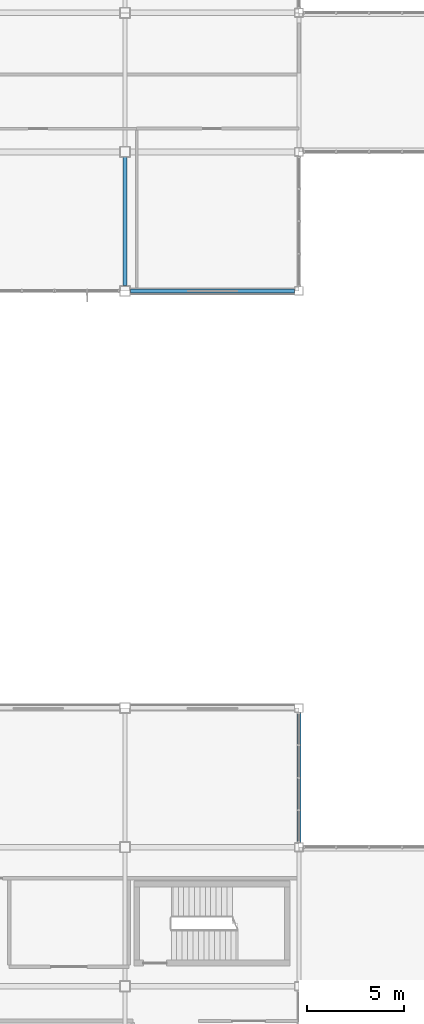
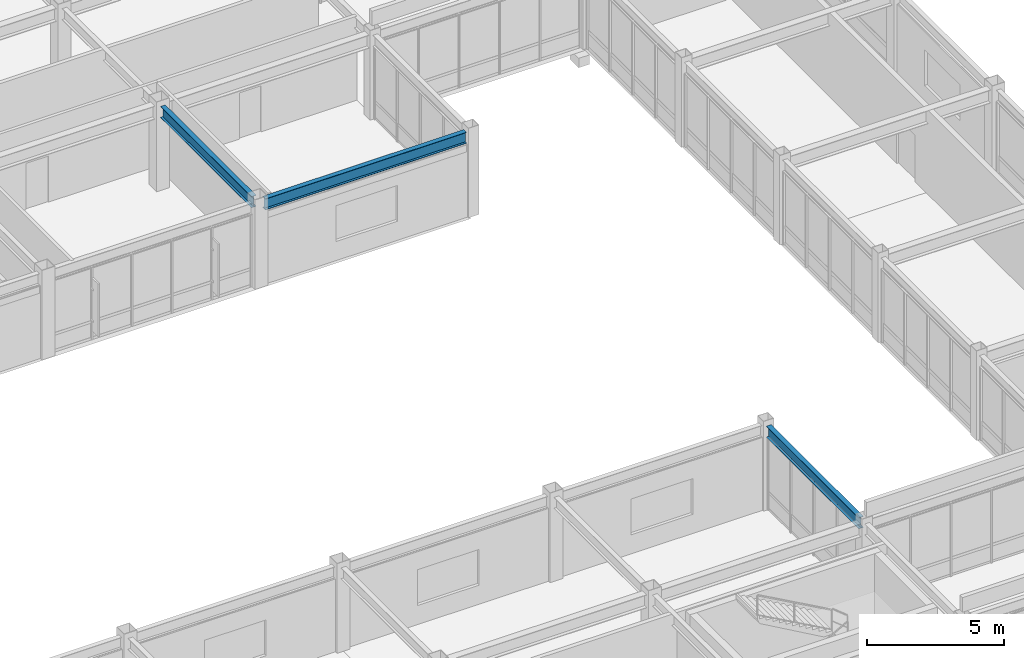
# One storey, part 28 of 122: 3 beams.
"""IFC4 building model written with IfcOpenShell, lengths in metres."""

from ifc_helpers import new_model, si_unit, direction, frame, origin, origin_2d, place, context, subcontext, project, spatial, i_section, extrude, material, material_profile, profile_set, type_object, element, save


model = new_model("IFC4")

# Units and contexts
model_context = context("Model", 3, precision=1e-05, world=origin(), true_north=direction((0.0, 1.0)))
body_context = subcontext(model_context, "Body", "Model", "MODEL_VIEW")
ifc_project = project(units=[si_unit("LENGTHUNIT", "METRE"), si_unit("AREAUNIT", "SQUARE_METRE"), si_unit("VOLUMEUNIT", "CUBIC_METRE"), si_unit("PLANEANGLEUNIT", "RADIAN"), si_unit("MASSUNIT", "GRAM", prefix="KILO")], contexts=[model_context])

# Site, building, storey
site_placement = place(None, origin())
site = spatial("IfcSite", under=ifc_project, at=site_placement, CompositionType="ELEMENT")
building_placement = place(site_placement, origin())
building = spatial("IfcBuilding", under=site, at=building_placement, Name="Kazanami Central Library", CompositionType="ELEMENT")
storey_placement = place(building_placement, frame((0.0, 0.0, 4.800048828125)))
storey = spatial("IfcBuildingStorey", under=building, at=storey_placement, Name="L02", CompositionType="ELEMENT", Elevation=4.800048828125)

# Beams
ifc_material = material(Name="Steel SN490B (325 MPa)", Category="steel")
ifc_material_profile_1 = material_profile(ifc_material, i_section(OverallWidth=0.199951171875, OverallDepth=0.5, WebThickness=0.010009765625, FlangeThickness=0.01611328125, at=origin_2d()), Name="H-500x200x10x16")
ifc_profile_set_1 = profile_set([ifc_material_profile_1], Name="Steel SN490B (325 MPa)")
beam_type_1 = type_object("IfcBeamType", Name="BM-G-Y2", PredefinedType="BEAM", material=ifc_profile_set_1)
beam_1_placement = place(storey_placement, frame((27.0, 57.873046875, 3.5048828125), z_axis=(0.0, 1.0, 0.0), x_axis=(-1.0, 0.0, 0.0)))
element("IfcBeam", 1, at=beam_1_placement, inside=storey, type_object=beam_type_1, Name="Girder G-Y2 L02 4/J-K", PredefinedType="BEAM", context=body_context, shape_type="SweptSolid", body=[
    extrude(i_section(OverallWidth=0.199951171875, OverallDepth=0.5, WebThickness=0.010009765625, FlangeThickness=0.01611328125, at=origin_2d()), origin(), (0.0, 0.0, 1.0), 6.654052734375),
])
ifc_material_profile_2 = material_profile(ifc_material, i_section(OverallWidth=0.199951171875, OverallDepth=0.5, WebThickness=0.010009765625, FlangeThickness=0.01611328125, at=origin_2d()), Name="H-500x200x10x16")
ifc_profile_set_2 = profile_set([ifc_material_profile_2], Name="Steel SN490B (325 MPa)")
beam_type_2 = type_object("IfcBeamType", Name="BM-SP-1", PredefinedType="SPANDREL", material=ifc_profile_set_2)
beam_2_placement = place(storey_placement, frame((27.27294921875, 57.60009765625, 3.5048828125), z_axis=(1.0, 0.0, 0.0), x_axis=(0.0, 1.0, 0.0)))
element("IfcBeam", 2, at=beam_2_placement, inside=storey, type_object=beam_type_2, Name="Girder SP-1 L02 J/4-5", PredefinedType="SPANDREL", context=body_context, shape_type="SweptSolid", body=[
    extrude(i_section(OverallWidth=0.199951171875, OverallDepth=0.5, WebThickness=0.010009765625, FlangeThickness=0.01611328125, at=origin_2d()), origin(), (0.0, 0.0, 1.0), 8.504150390625),
])
beam_3_placement = place(storey_placement, frame((36.0, 29.02294921875, 3.5048828125), z_axis=(0.0, 1.0, 0.0), x_axis=(-1.0, 0.0, 0.0)))
element("IfcBeam", 3, at=beam_3_placement, inside=storey, type_object=beam_type_2, Name="Girder SP-1 L02 5/E-F", PredefinedType="SPANDREL", context=body_context, shape_type="SweptSolid", body=[
    extrude(i_section(OverallWidth=0.199951171875, OverallDepth=0.5, WebThickness=0.010009765625, FlangeThickness=0.01611328125, at=origin_2d()), origin(), (0.0, 0.0, 1.0), 6.754150390625),
])

save(model, "model.ifc")
